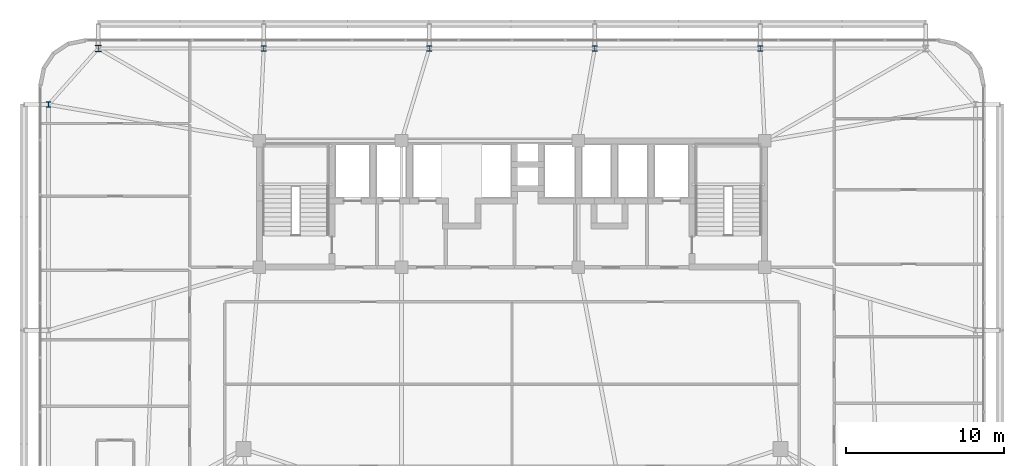
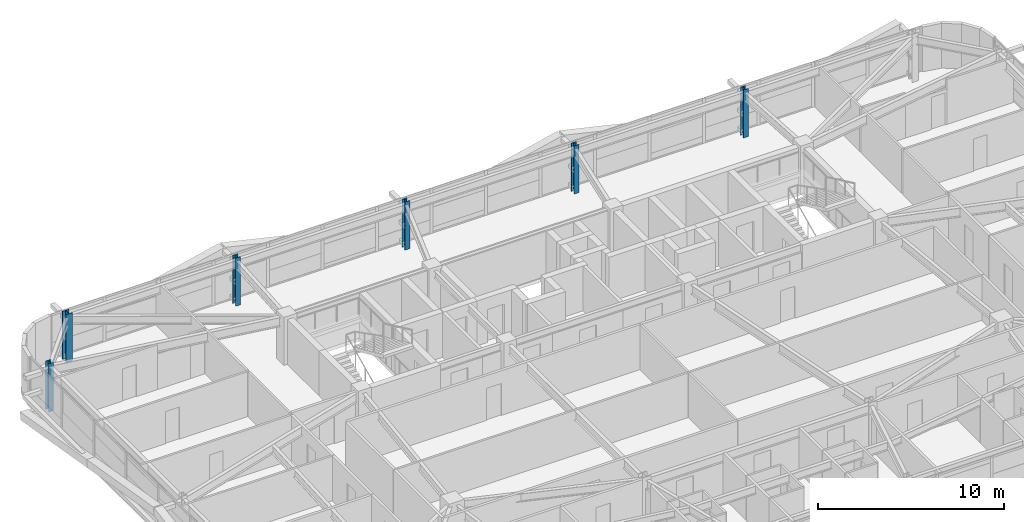
# One storey, part 3 of 59: 6 columns.
"""IFC4 building model written with IfcOpenShell, lengths in metres."""

from ifc_helpers import new_model, si_unit, direction, frame, origin, origin_2d, place, context, subcontext, project, spatial, i_section, extrude, source, transform, mapped, material, material_profile, profile_set, type_object, element, save


model = new_model("IFC4")

# Units and contexts
model_context = context("Model", 3, precision=1e-05, world=origin(), true_north=direction((0.0, 1.0)))
body_context = subcontext(model_context, "Body", "Model", "MODEL_VIEW")
ifc_project = project(units=[si_unit("LENGTHUNIT", "METRE"), si_unit("AREAUNIT", "SQUARE_METRE"), si_unit("VOLUMEUNIT", "CUBIC_METRE"), si_unit("PLANEANGLEUNIT", "RADIAN"), si_unit("MASSUNIT", "GRAM", prefix="KILO")], contexts=[model_context])

# Site, building, storey
site_placement = place(None, origin())
site = spatial("IfcSite", under=ifc_project, at=site_placement, CompositionType="ELEMENT")
building_placement = place(site_placement, origin())
building = spatial("IfcBuilding", under=site, at=building_placement, Name="Taldren Reach Tower", CompositionType="ELEMENT")
storey_placement = place(building_placement, frame((0.0, 0.0, 23.10009765625)))
storey = spatial("IfcBuildingStorey", under=building, at=storey_placement, Name="L06", CompositionType="ELEMENT", Elevation=23.10009765625)

# Columns
ifc_material = material(Name="Steel Gr 350 (350PLUS)", Category="steel")
ifc_material_profile_1 = material_profile(ifc_material, i_section(OverallWidth=0.39990234375, OverallDepth=0.39599609375, WebThickness=0.02197265625, FlangeThickness=0.033935546875, at=origin_2d()), Name="400WC270")
ifc_profile_set_1 = profile_set([ifc_material_profile_1], Name="Steel Gr 350 (350PLUS)")
column_type_1 = type_object("IfcColumnType", Name="COL-WC400", PredefinedType="COLUMN", material=ifc_profile_set_1)
shared_shape_1 = source(origin(), body_context, "Body", "SweptSolid", [
    extrude(i_section(OverallWidth=0.39990234375, OverallDepth=0.39599609375, WebThickness=0.02197265625, FlangeThickness=0.033935546875, at=origin_2d()), origin(), (0.0, 0.0, 1.0), 3.14990234375),
])
column_placement = place(storey_placement, frame((8.800048828125, 37.85009765625, 0.0), z_axis=(0.0, 0.0, 1.0), x_axis=(1.0, 0.0, 0.0)))
element("IfcColumn", 1, at=column_placement, inside=storey, type_object=column_type_1, Name="Block B1 perimeter column N1 L06", PredefinedType="COLUMN", context=body_context, shape_type="MappedRepresentation", body=[
    mapped(shared_shape_1, transform((0.0, 0.0, 0.0), scale=1.0)),
])
ifc_material_profile_2 = material_profile(ifc_material, i_section(OverallWidth=0.31103515625, OverallDepth=0.326904296875, WebThickness=0.015625, FlangeThickness=0.02490234375, at=origin_2d()), Name="310UC158")
ifc_profile_set_2 = profile_set([ifc_material_profile_2], Name="Steel Gr 350 (350PLUS)")
column_type_2 = type_object("IfcColumnType", Name="COL-UC310A", PredefinedType="COLUMN", material=ifc_profile_set_2)
shared_shape_2 = source(origin(), body_context, "Body", "SweptSolid", [
    extrude(i_section(OverallWidth=0.31103515625, OverallDepth=0.326904296875, WebThickness=0.015625, FlangeThickness=0.02490234375, at=origin_2d()), origin(), (0.0, 0.0, 1.0), 3.14990234375),
])
for number, where, z_axis, x_axis, name in (
    (2, (19.280029296875, 37.85009765625, 0.0), (0.0, 0.0, 1.0), (1.0, 0.0, 0.0), "Block B1 perimeter column N2 L06"),
    (3, (29.760009765625, 37.85009765625, 0.0), (0.0, 0.0, 1.0), (1.0, 0.0, 0.0), "Block B1 perimeter column N3 L06"),
    (4, (40.239990234375, 37.85009765625, 0.0), (0.0, 0.0, 1.0), (1.0, 0.0, 0.0), "Block B1 perimeter column N4 L06"),
    (5, (50.719970703125, 37.85009765625, 0.0), (0.0, 0.0, 1.0), (1.0, 0.0, 0.0), "Block B1 perimeter column N5 L06"),
    (6, (5.64990234375, 34.300048828125, 0.0), (0.0, 0.0, 1.0), (1.0, 0.0, 0.0), "Block B1 perimeter column W3 L06"),
):
    element("IfcColumn", number, at=place(storey_placement, frame(where, z_axis=z_axis, x_axis=x_axis)), inside=storey, type_object=column_type_2, Name=name, PredefinedType="COLUMN", context=body_context, shape_type="MappedRepresentation", body=[
        mapped(shared_shape_2, transform((0.0, 0.0, 0.0), scale=1.0)),
    ])

save(model, "model.ifc")
